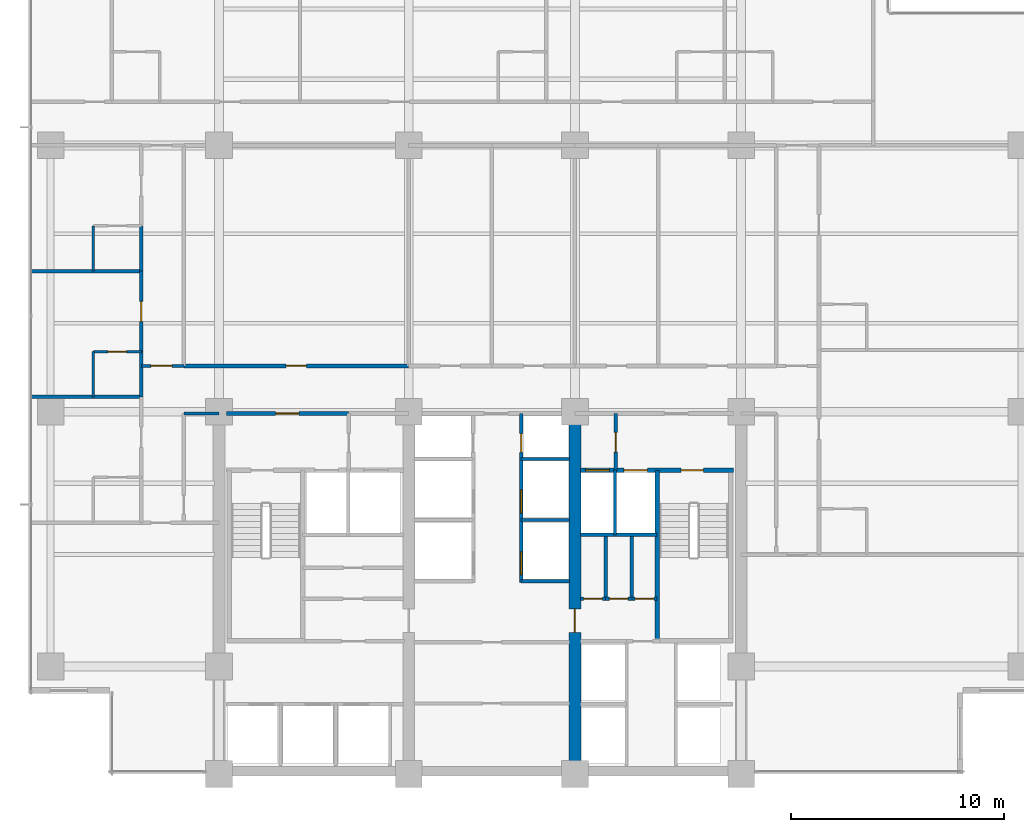
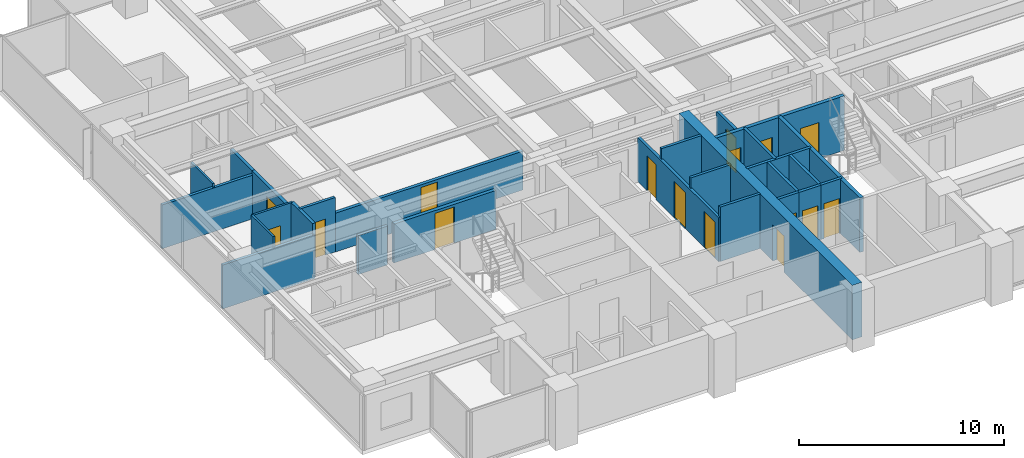
# One storey, part 9 of 17: 27 walls, 16 doors, 16 openings.
"""IFC4 building model written with IfcOpenShell, lengths in metres."""

from ifc_helpers import new_model, si_unit, direction, frame, frame_2d, origin, place, context, subcontext, project, spatial, rectangle, extrude, material, layer, layer_set, type_object, element, fill, save


model = new_model("IFC4")

# Units and contexts
model_context = context("Model", 3, precision=1e-05, world=origin(), true_north=direction((0.0, 1.0)))
body_context = subcontext(model_context, "Body", "Model", "MODEL_VIEW")
ifc_project = project(units=[si_unit("LENGTHUNIT", "METRE"), si_unit("AREAUNIT", "SQUARE_METRE"), si_unit("VOLUMEUNIT", "CUBIC_METRE"), si_unit("PLANEANGLEUNIT", "RADIAN"), si_unit("MASSUNIT", "GRAM", prefix="KILO")], contexts=[model_context])

# Site, building, storey
site_placement = place(None, origin())
site = spatial("IfcSite", under=ifc_project, at=site_placement, CompositionType="ELEMENT")
building_placement = place(site_placement, origin())
building = spatial("IfcBuilding", under=site, at=building_placement, Name="Qalmaran Belvedere Hotel", CompositionType="ELEMENT")
storey_placement = place(building_placement, frame((0.0, 0.0, 91.699951171875)))
storey = spatial("IfcBuildingStorey", under=building, at=storey_placement, Name="L22", CompositionType="ELEMENT", Elevation=91.699951171875)

# Wall, opening, door
ifc_material_1 = material(Name="Concrete C60/75", Category="concrete")
ifc_layer_1 = layer(ifc_material_1, 0.550048828125, Name="Concrete C60/75")
ifc_layer_set_1 = layer_set([ifc_layer_1], Name="Concrete C60/75")
wall_type_1 = type_object("IfcWallType", Name="WL-CORE-550-C60", PredefinedType="SHEAR", material=ifc_layer_set_1)
wall_1_placement = place(storey_placement, frame((37.0, 3.5, 0.0), z_axis=(0.0, 0.0, 1.0), x_axis=(0.0, 1.0, 0.0)))
wall_1 = element("IfcWall", 1, at=wall_1_placement, inside=storey, type_object=wall_type_1, Name="L22 Core East Spine Shear Wall", PredefinedType="SHEAR", context=body_context, shape_type="SweptSolid", body=[
    extrude(rectangle(XDim=16.89990234375, YDim=0.550048828125, at=frame_2d((8.449951171875, 0.0))), origin(), (0.0, 0.0, 1.0), 3.239990234375),
])
opening_1_placement = place(wall_1_placement, frame((6.64990234375, 0.0, 0.0)))
opening_1 = element("IfcOpeningElement", 2, at=opening_1_placement, cuts=wall_1, Name="Opening FD90", PredefinedType="OPENING", context=body_context, shape_type="SweptSolid", body=[
    extrude(rectangle(XDim=1.10009765625, YDim=2.14990234375, at=frame_2d((0.550048828125, 1.074951171875))), frame((0.0, 0.28515625, 0.0), z_axis=(0.0, -1.0, 0.0), x_axis=(1.0, 0.0, 0.0)), (0.0, 0.0, 1.0), 0.570068359375),
])
ifc_material_2 = material(Name="Steel S355JR", Category="steel")
door_type_1 = type_object("IfcDoorType", Name="DR-FD90-1100X2150", OperationType="NOTDEFINED", PredefinedType="DOOR", material=ifc_material_2)
door_1_placement = place(opening_1_placement, origin())
door_1 = element("IfcDoor", 3, at=door_1_placement, inside=storey, type_object=door_type_1, Name="L22 Core East Cross-Lobby Door", OperationType="SINGLE_SWING_LEFT", OverallHeight=2.14990234375, OverallWidth=1.10009765625, PredefinedType="DOOR", context=body_context, shape_type="SweptSolid", body=[
    extrude(rectangle(XDim=1.10009765625, YDim=2.14990234375, at=frame_2d((0.550048828125, 1.074951171875))), frame((0.0, 0.02490234375, 0.0), z_axis=(0.0, -1.0, 0.0), x_axis=(1.0, 0.0, 0.0)), (0.0, 0.0, 1.0), 0.050048828125),
])
fill(opening_1, door_1)

ifc_material_3 = material(Name="Moisture-Resistant Gypsum")
ifc_layer_2 = layer(ifc_material_3, 0.1201171875, Name="Moisture-Resistant Gypsum")
ifc_layer_set_2 = layer_set([ifc_layer_2], Name="Moisture-Resistant Gypsum")
wall_type_2 = type_object("IfcWallType", Name="WL-INT-120-BATH", PredefinedType="PARTITIONING", material=ifc_layer_set_2)
wall_2_placement = place(storey_placement, frame((14.39990234375, 23.320068359375, 0.0), z_axis=(0.0, 0.0, 1.0), x_axis=(1.0, 0.0, 0.0)))
wall_2 = element("IfcWall", 4, at=wall_2_placement, inside=storey, type_object=wall_type_2, Name="L22 Partition WL-L22-WBN01", PredefinedType="PARTITIONING", context=body_context, shape_type="SweptSolid", body=[
    extrude(rectangle(XDim=2.25, YDim=0.1201171875, at=frame_2d((1.125, 0.0))), origin(), (0.0, 0.0, 1.0), 3.239990234375),
])
opening_2_placement = place(wall_2_placement, frame((1.56494140625, 0.0, 0.0), z_axis=(0.0, 0.0, 1.0), x_axis=(-1.0, 0.0, 0.0)))
opening_2 = element("IfcOpeningElement", 5, at=opening_2_placement, cuts=wall_2, Name="Opening D-BATH", PredefinedType="OPENING", context=body_context, shape_type="SweptSolid", body=[
    extrude(rectangle(XDim=0.8798828125, YDim=2.080078125, at=frame_2d((0.43994140625, 1.0400390625))), frame((0.0, 0.070068359375, 0.0), z_axis=(0.0, -1.0, 0.0), x_axis=(1.0, 0.0, 0.0)), (0.0, 0.0, 1.0), 0.14013671875),
])
ifc_material_4 = material(Name="Engineered Oak Veneer")
door_type_2 = type_object("IfcDoorType", Name="DR-INT-BATH-880X2080", OperationType="NOTDEFINED", PredefinedType="DOOR", material=ifc_material_4)
door_2_placement = place(opening_2_placement, origin())
door_2 = element("IfcDoor", 6, at=door_2_placement, inside=storey, type_object=door_type_2, Name="L22 W Ensuite Door 02", OperationType="SINGLE_SWING_LEFT", OverallHeight=2.080078125, OverallWidth=0.8798828125, PredefinedType="DOOR", context=body_context, shape_type="SweptSolid", body=[
    extrude(rectangle(XDim=0.8798828125, YDim=2.080078125, at=frame_2d((0.43994140625, 1.0400390625))), frame((0.0, 0.02490234375, 0.0), z_axis=(0.0, -1.0, 0.0), x_axis=(1.0, 0.0, 0.0)), (0.0, 0.0, 1.0), 0.050048828125),
])
fill(opening_2, door_2)

# Walls
wall_3_placement = place(storey_placement, frame((14.39990234375, 21.199951171875, 0.0), z_axis=(0.0, 0.0, 1.0), x_axis=(0.0, 1.0, 0.0)))
element("IfcWall", 7, at=wall_3_placement, inside=storey, type_object=wall_type_2, Name="L22 Partition WL-L22-WBS01", PredefinedType="PARTITIONING", context=body_context, shape_type="SweptSolid", body=[
    extrude(rectangle(XDim=2.1201171875, YDim=0.1201171875, at=frame_2d((1.06005859375, 0.0))), origin(), (0.0, 0.0, 1.0), 3.239990234375),
])
wall_4_placement = place(storey_placement, frame((14.39990234375, 27.10009765625, 0.0), z_axis=(0.0, 0.0, 1.0), x_axis=(0.0, 1.0, 0.0)))
element("IfcWall", 8, at=wall_4_placement, inside=storey, type_object=wall_type_2, Name="L22 Partition WL-L22-WBS02", PredefinedType="PARTITIONING", context=body_context, shape_type="SweptSolid", body=[
    extrude(rectangle(XDim=2.119873046875, YDim=0.1201171875, at=frame_2d((1.06005859375, 0.0))), origin(), (0.0, 0.0, 1.0), 2.818115234375),
])
ifc_material_5 = material(Name="Gypsum Stud Partition")
ifc_layer_3 = layer(ifc_material_5, 0.14990234375, Name="Gypsum Stud Partition")
ifc_layer_set_3 = layer_set([ifc_layer_3], Name="Gypsum Stud Partition")
wall_type_3 = type_object("IfcWallType", Name="WL-INT-150-EI120", PredefinedType="PARTITIONING", material=ifc_layer_set_3)
wall_5_placement = place(storey_placement, frame((38.8798828125, 14.719970703125, 0.0), z_axis=(0.0, 0.0, 1.0), x_axis=(0.0, 1.0, 0.0)))
element("IfcWall", 9, at=wall_5_placement, inside=storey, type_object=wall_type_3, Name="L22 Partition WL-FF2M-L22", PredefinedType="PARTITIONING", context=body_context, shape_type="SweptSolid", body=[
    extrude(rectangle(XDim=3.0400390625, YDim=0.14990234375, at=frame_2d((1.52001953125, 0.0))), origin(), (0.0, 0.0, 1.0), 3.239990234375),
])
for number, where, z_axis, x_axis, name in (
    (10, (34.47998046875, 12.550048828125, 0.0), (0.0, 0.0, 1.0), (1.0, 0.0, 0.0), "L22 Partition WL-PME-L22-125"),
    (11, (34.47998046875, 15.419921875, 0.0), (0.0, 0.0, 1.0), (1.0, 0.0, 0.0), "L22 Partition WL-PME-L22-154"),
    (12, (34.47998046875, 18.280029296875, 0.0), (0.0, 0.0, 1.0), (1.0, 0.0, 0.0), "L22 Partition WL-PME-L22-182"),
):
    element("IfcWall", number, at=place(storey_placement, frame(where, z_axis=z_axis, x_axis=x_axis)), inside=storey, type_object=wall_type_3, Name=name, PredefinedType="PARTITIONING", context=body_context, shape_type="SweptSolid", body=[
        extrude(rectangle(XDim=2.27001953125, YDim=0.14990234375, at=frame_2d((1.135009765625, 0.0))), origin(), (0.0, 0.0, 1.0), 3.239990234375),
    ])
ifc_layer_4 = layer(ifc_material_5, 0.14990234375, Name="Gypsum Stud Partition")
ifc_layer_set_4 = layer_set([ifc_layer_4], Name="Gypsum Stud Partition")
wall_type_4 = type_object("IfcWallType", Name="WL-INT-150-EI60", PredefinedType="PARTITIONING", material=ifc_layer_set_4)
for number, where, z_axis, x_axis, name in (
    (13, (38.44140625, 11.719970703125, 0.0), (0.0, 0.0, 1.0), (0.0, 1.0, 0.0), "L22 Partition WL-L22-KEV1"),
    (14, (39.668701171875, 11.719970703125, 0.0), (0.0, 0.0, 1.0), (0.0, 1.0, 0.0), "L22 Partition WL-L22-KEV2"),
):
    element("IfcWall", number, at=place(storey_placement, frame(where, z_axis=z_axis, x_axis=x_axis)), inside=storey, type_object=wall_type_4, Name=name, PredefinedType="PARTITIONING", context=body_context, shape_type="SweptSolid", body=[
        extrude(rectangle(XDim=2.929931640625, YDim=0.14990234375, at=frame_2d((1.46484375, 0.0))), origin(), (0.0, 0.0, 1.0), 3.239990234375),
    ])

# Wall, opening, door
wall_6_placement = place(storey_placement, frame((16.64990234375, 22.64990234375, 0.0), z_axis=(0.0, 0.0, 1.0), x_axis=(1.0, 0.0, 0.0)))
wall_6 = element("IfcWall", 15, at=wall_6_placement, inside=storey, type_object=wall_type_4, Name="L22 Partition WL-L22-XCW1", PredefinedType="PARTITIONING", context=body_context, shape_type="SweptSolid", body=[
    extrude(rectangle(XDim=2.0, YDim=0.14990234375, at=frame_2d((1.0, 0.0))), origin(), (0.0, 0.0, 1.0), 3.239990234375),
])
opening_3_placement = place(wall_6_placement, frame((0.449951171875, 0.0, 0.0)))
opening_3 = element("IfcOpeningElement", 16, at=opening_3_placement, cuts=wall_6, Name="Opening FD90B", PredefinedType="OPENING", context=body_context, shape_type="SweptSolid", body=[
    extrude(rectangle(XDim=1.0, YDim=2.14990234375, at=frame_2d((0.5, 1.074951171875))), frame((0.0, 0.0849609375, 0.0), z_axis=(0.0, -1.0, 0.0), x_axis=(1.0, 0.0, 0.0)), (0.0, 0.0, 1.0), 0.169921875),
])
door_type_3 = type_object("IfcDoorType", Name="DR-FD90B-1000X2150", OperationType="NOTDEFINED", PredefinedType="DOOR", material=ifc_material_2)
door_3_placement = place(opening_3_placement, origin())
door_3 = element("IfcDoor", 17, at=door_3_placement, inside=storey, type_object=door_type_3, Name="L22 West Corridor Smoke Door S", OperationType="SINGLE_SWING_RIGHT", OverallHeight=2.14990234375, OverallWidth=1.0, PredefinedType="DOOR", context=body_context, shape_type="SweptSolid", body=[
    extrude(rectangle(XDim=1.0, YDim=2.14990234375, at=frame_2d((0.5, 1.074951171875))), frame((0.0, 0.02490234375, 0.0), z_axis=(0.0, -1.0, 0.0), x_axis=(1.0, 0.0, 0.0)), (0.0, 0.0, 1.0), 0.050048828125),
])
fill(opening_3, door_3)

ifc_layer_5 = layer(ifc_material_5, 0.159912109375, Name="Gypsum Stud Partition")
ifc_layer_set_5 = layer_set([ifc_layer_5], Name="Gypsum Stud Partition")
wall_type_5 = type_object("IfcWallType", Name="WL-INT-160-EI120", PredefinedType="PARTITIONING", material=ifc_layer_set_5)
wall_7_placement = place(storey_placement, frame((38.919921875, 17.760009765625, 0.0), z_axis=(0.0, 0.0, 1.0), x_axis=(0.0, 1.0, 0.0)))
wall_7 = element("IfcWall", 18, at=wall_7_placement, inside=storey, type_object=wall_type_5, Name="L22 Partition WL-FFSV2-L22", PredefinedType="PARTITIONING", context=body_context, shape_type="SweptSolid", body=[
    extrude(rectangle(XDim=2.659912109375, YDim=0.159912109375, at=frame_2d((1.330078125, 0.0))), origin(), (0.0, 0.0, 1.0), 2.614013671875),
])
opening_4_placement = place(wall_7_placement, frame((1.77001953125, 0.0, 0.0), z_axis=(0.0, 0.0, 1.0), x_axis=(-1.0, 0.0, 0.0)))
opening_4 = element("IfcOpeningElement", 19, at=opening_4_placement, cuts=wall_7, Name="Opening FD60S1", PredefinedType="OPENING", context=body_context, shape_type="SweptSolid", body=[
    extrude(rectangle(XDim=0.919921875, YDim=2.080078125, at=frame_2d((0.4599609375, 1.0400390625))), frame((0.0, 0.08984375, 0.0), z_axis=(0.0, -1.0, 0.0), x_axis=(1.0, 0.0, 0.0)), (0.0, 0.0, 1.0), 0.179931640625),
])
door_type_4 = type_object("IfcDoorType", Name="DR-FD60S-920X2080", OperationType="NOTDEFINED", PredefinedType="DOOR", material=ifc_material_4)
door_4_placement = place(opening_4_placement, origin())
door_4 = element("IfcDoor", 20, at=door_4_placement, inside=storey, type_object=door_type_4, Name="L22 Service Lobby East Door", OperationType="SINGLE_SWING_LEFT", OverallHeight=2.080078125, OverallWidth=0.919921875, PredefinedType="DOOR", context=body_context, shape_type="SweptSolid", body=[
    extrude(rectangle(XDim=0.919921875, YDim=2.080078125, at=frame_2d((0.4599609375, 1.0400390625))), frame((0.0, 0.02490234375, 0.0), z_axis=(0.0, -1.0, 0.0), x_axis=(1.0, 0.0, 0.0)), (0.0, 0.0, 1.0), 0.050048828125),
])
fill(opening_4, door_4)

# Wall
wall_8_placement = place(storey_placement, frame((37.25, 14.719970703125, 0.0), z_axis=(0.0, 0.0, 1.0), x_axis=(1.0, 0.0, 0.0)))
element("IfcWall", 21, at=wall_8_placement, inside=storey, type_object=wall_type_5, Name="L22 Partition WL-FF2S-L22", PredefinedType="PARTITIONING", context=body_context, shape_type="SweptSolid", body=[
    extrude(rectangle(XDim=3.610107421875, YDim=0.159912109375, at=frame_2d((1.80517578125, 0.0))), origin(), (0.0, 0.0, 1.0), 3.239990234375),
])

# Wall, openings, doors
wall_9_placement = place(storey_placement, frame((34.47998046875, 12.5, 0.0), z_axis=(0.0, 0.0, 1.0), x_axis=(0.0, 1.0, 0.0)))
wall_9 = element("IfcWall", 22, at=wall_9_placement, inside=storey, type_object=wall_type_5, Name="L22 Partition WL-CLBEN-L22", PredefinedType="PARTITIONING", context=body_context, shape_type="SweptSolid", body=[
    extrude(rectangle(XDim=7.919921875, YDim=0.159912109375, at=frame_2d((3.9599609375, 0.0))), origin(), (0.0, 0.0, 1.0), 2.614013671875),
])
opening_5_placement = place(wall_9_placement, frame((0.35009765625, 0.0, 0.0)))
opening_5 = element("IfcOpeningElement", 23, at=opening_5_placement, cuts=wall_9, Name="Opening LD-P1", PredefinedType="OPENING", context=body_context, shape_type="SweptSolid", body=[
    extrude(rectangle(XDim=1.080078125, YDim=2.159912109375, at=frame_2d((0.5400390625, 1.080078125))), frame((0.0, 0.08984375, 0.0), z_axis=(0.0, -1.0, 0.0), x_axis=(1.0, 0.0, 0.0)), (0.0, 0.0, 1.0), 0.179931640625),
])
opening_6_placement = place(wall_9_placement, frame((3.25, 0.0, 0.0)))
opening_6 = element("IfcOpeningElement", 24, at=opening_6_placement, cuts=wall_9, Name="Opening LD-P1", PredefinedType="OPENING", context=body_context, shape_type="SweptSolid", body=[
    extrude(rectangle(XDim=1.080078125, YDim=2.159912109375, at=frame_2d((0.5400390625, 1.080078125))), frame((0.0, 0.08984375, 0.0), z_axis=(0.0, -1.0, 0.0), x_axis=(1.0, 0.0, 0.0)), (0.0, 0.0, 1.0), 0.179931640625),
])
opening_7_placement = place(wall_9_placement, frame((6.97998046875, 0.0, 0.0), z_axis=(0.0, 0.0, 1.0), x_axis=(-1.0, 0.0, 0.0)))
opening_7 = element("IfcOpeningElement", 25, at=opening_7_placement, cuts=wall_9, Name="Opening FD60B", PredefinedType="OPENING", context=body_context, shape_type="SweptSolid", body=[
    extrude(rectangle(XDim=0.8798828125, YDim=2.080078125, at=frame_2d((0.43994140625, 1.0400390625))), frame((0.0, 0.08984375, 0.0), z_axis=(0.0, -1.0, 0.0), x_axis=(1.0, 0.0, 0.0)), (0.0, 0.0, 1.0), 0.179931640625),
])
door_type_5 = type_object("IfcDoorType", Name="DR-FD60B-880X2080", OperationType="NOTDEFINED", PredefinedType="DOOR", material=ifc_material_2)
door_5_placement = place(opening_7_placement, origin())
door_5 = element("IfcDoor", 26, at=door_5_placement, inside=storey, type_object=door_type_5, Name="L22 East Riser Access Door", OperationType="SINGLE_SWING_LEFT", OverallHeight=2.080078125, OverallWidth=0.8798828125, PredefinedType="DOOR", context=body_context, shape_type="SweptSolid", body=[
    extrude(rectangle(XDim=0.8798828125, YDim=2.080078125, at=frame_2d((0.43994140625, 1.0400390625))), frame((0.0, 0.02490234375, 0.0), z_axis=(0.0, -1.0, 0.0), x_axis=(1.0, 0.0, 0.0)), (0.0, 0.0, 1.0), 0.050048828125),
])
fill(opening_7, door_5)
ifc_material_6 = material(Name="Stainless Steel 1.4401", Category="steel")
door_type_6 = type_object("IfcDoorType", Name="DR-LIFT-P1-1080X2160", OperationType="DOUBLE_DOOR_SLIDING", PredefinedType="DOOR", material=ifc_material_6)
door_6_placement = place(opening_5_placement, origin())
door_6 = element("IfcDoor", 27, at=door_6_placement, inside=storey, type_object=door_type_6, Name="L22 PM3 Lift Landing Door", OperationType="DOUBLE_DOOR_SLIDING", OverallHeight=2.159912109375, OverallWidth=1.080078125, PredefinedType="DOOR", context=body_context, shape_type="SweptSolid", body=[
    extrude(rectangle(XDim=1.080078125, YDim=2.159912109375, at=frame_2d((0.5400390625, 1.080078125))), frame((0.0, 0.02490234375, 0.0), z_axis=(0.0, -1.0, 0.0), x_axis=(1.0, 0.0, 0.0)), (0.0, 0.0, 1.0), 0.050048828125),
])
fill(opening_5, door_6)
door_7_placement = place(opening_6_placement, origin())
door_7 = element("IfcDoor", 28, at=door_7_placement, inside=storey, type_object=door_type_6, Name="L22 PM4 Lift Landing Door", OperationType="DOUBLE_DOOR_SLIDING", OverallHeight=2.159912109375, OverallWidth=1.080078125, PredefinedType="DOOR", context=body_context, shape_type="SweptSolid", body=[
    extrude(rectangle(XDim=1.080078125, YDim=2.159912109375, at=frame_2d((0.5400390625, 1.080078125))), frame((0.0, 0.02490234375, 0.0), z_axis=(0.0, -1.0, 0.0), x_axis=(1.0, 0.0, 0.0)), (0.0, 0.0, 1.0), 0.050048828125),
])
fill(opening_6, door_7)

# Wall, opening, door
ifc_layer_6 = layer(ifc_material_5, 0.159912109375, Name="Gypsum Stud Partition")
ifc_layer_set_6 = layer_set([ifc_layer_6], Name="Gypsum Stud Partition")
wall_type_6 = type_object("IfcWallType", Name="WL-INT-160-EI60", PredefinedType="PARTITIONING", material=ifc_layer_set_6)
wall_10_placement = place(storey_placement, frame((37.25, 11.719970703125, 0.0), z_axis=(0.0, 0.0, 1.0), x_axis=(1.0, 0.0, 0.0)))
wall_10 = element("IfcWall", 29, at=wall_10_placement, inside=storey, type_object=wall_type_6, Name="L22 Partition WL-L22-KEE1", PredefinedType="PARTITIONING", context=body_context, shape_type="SweptSolid", body=[
    extrude(rectangle(XDim=1.19140625, YDim=0.159912109375, at=frame_2d((0.595703125, 0.0))), origin(), (0.0, 0.0, 1.0), 3.239990234375),
])
opening_8_placement = place(wall_10_placement, frame((0.155517578125, 0.0, 0.0)))
opening_8 = element("IfcOpeningElement", 30, at=opening_8_placement, cuts=wall_10, Name="Opening FD60B", PredefinedType="OPENING", context=body_context, shape_type="SweptSolid", body=[
    extrude(rectangle(XDim=0.8798828125, YDim=2.080078125, at=frame_2d((0.43994140625, 1.0400390625))), frame((0.0, 0.08984375, 0.0), z_axis=(0.0, -1.0, 0.0), x_axis=(1.0, 0.0, 0.0)), (0.0, 0.0, 1.0), 0.179931640625),
])
door_8_placement = place(opening_8_placement, origin())
door_8 = element("IfcDoor", 31, at=door_8_placement, inside=storey, type_object=door_type_5, Name="L22 Hotel Linen Closet Door", OperationType="SINGLE_SWING_LEFT", OverallHeight=2.080078125, OverallWidth=0.8798828125, PredefinedType="DOOR", context=body_context, shape_type="SweptSolid", body=[
    extrude(rectangle(XDim=0.8798828125, YDim=2.080078125, at=frame_2d((0.43994140625, 1.0400390625))), frame((0.0, 0.02490234375, 0.0), z_axis=(0.0, -1.0, 0.0), x_axis=(1.0, 0.0, 0.0)), (0.0, 0.0, 1.0), 0.050048828125),
])
fill(opening_8, door_8)

wall_11_placement = place(storey_placement, frame((38.44140625, 11.719970703125, 0.0), z_axis=(0.0, 0.0, 1.0), x_axis=(1.0, 0.0, 0.0)))
wall_11 = element("IfcWall", 32, at=wall_11_placement, inside=storey, type_object=wall_type_6, Name="L22 Partition WL-L22-KEE2", PredefinedType="PARTITIONING", context=body_context, shape_type="SweptSolid", body=[
    extrude(rectangle(XDim=1.227294921875, YDim=0.159912109375, at=frame_2d((0.61376953125, 0.0))), origin(), (0.0, 0.0, 1.0), 3.239990234375),
])
opening_9_placement = place(wall_11_placement, frame((0.173583984375, 0.0, 0.0)))
opening_9 = element("IfcOpeningElement", 33, at=opening_9_placement, cuts=wall_11, Name="Opening FD60B", PredefinedType="OPENING", context=body_context, shape_type="SweptSolid", body=[
    extrude(rectangle(XDim=0.8798828125, YDim=2.080078125, at=frame_2d((0.43994140625, 1.0400390625))), frame((0.0, 0.08984375, 0.0), z_axis=(0.0, -1.0, 0.0), x_axis=(1.0, 0.0, 0.0)), (0.0, 0.0, 1.0), 0.179931640625),
])
door_9_placement = place(opening_9_placement, origin())
door_9 = element("IfcDoor", 34, at=door_9_placement, inside=storey, type_object=door_type_5, Name="L22 Guest Ice and Beverage Pantry Door", OperationType="SINGLE_SWING_RIGHT", OverallHeight=2.080078125, OverallWidth=0.8798828125, PredefinedType="DOOR", context=body_context, shape_type="SweptSolid", body=[
    extrude(rectangle(XDim=0.8798828125, YDim=2.080078125, at=frame_2d((0.43994140625, 1.0400390625))), frame((0.0, 0.02490234375, 0.0), z_axis=(0.0, -1.0, 0.0), x_axis=(1.0, 0.0, 0.0)), (0.0, 0.0, 1.0), 0.050048828125),
])
fill(opening_9, door_9)

wall_12_placement = place(storey_placement, frame((39.668701171875, 11.719970703125, 0.0), z_axis=(0.0, 0.0, 1.0), x_axis=(1.0, 0.0, 0.0)))
wall_12 = element("IfcWall", 35, at=wall_12_placement, inside=storey, type_object=wall_type_6, Name="L22 Partition WL-L22-KEE3", PredefinedType="PARTITIONING", context=body_context, shape_type="SweptSolid", body=[
    extrude(rectangle(XDim=1.19140625, YDim=0.159912109375, at=frame_2d((0.595703125, 0.0))), origin(), (0.0, 0.0, 1.0), 3.239990234375),
])
opening_10_placement = place(wall_12_placement, frame((0.155517578125, 0.0, 0.0)))
opening_10 = element("IfcOpeningElement", 36, at=opening_10_placement, cuts=wall_12, Name="Opening FD60B", PredefinedType="OPENING", context=body_context, shape_type="SweptSolid", body=[
    extrude(rectangle(XDim=0.8798828125, YDim=2.080078125, at=frame_2d((0.43994140625, 1.0400390625))), frame((0.0, 0.08984375, 0.0), z_axis=(0.0, -1.0, 0.0), x_axis=(1.0, 0.0, 0.0)), (0.0, 0.0, 1.0), 0.179931640625),
])
door_10_placement = place(opening_10_placement, origin())
door_10 = element("IfcDoor", 37, at=door_10_placement, inside=storey, type_object=door_type_5, Name="L22 Cleaner Equipment Store Door", OperationType="SINGLE_SWING_LEFT", OverallHeight=2.080078125, OverallWidth=0.8798828125, PredefinedType="DOOR", context=body_context, shape_type="SweptSolid", body=[
    extrude(rectangle(XDim=0.8798828125, YDim=2.080078125, at=frame_2d((0.43994140625, 1.0400390625))), frame((0.0, 0.02490234375, 0.0), z_axis=(0.0, -1.0, 0.0), x_axis=(1.0, 0.0, 0.0)), (0.0, 0.0, 1.0), 0.050048828125),
])
fill(opening_10, door_10)

# Walls
wall_13_placement = place(storey_placement, frame((18.64990234375, 20.419921875, 0.0), z_axis=(0.0, 0.0, 1.0), x_axis=(1.0, 0.0, 0.0)))
element("IfcWall", 38, at=wall_13_placement, inside=storey, type_object=wall_type_6, Name="L22 Partition WL-L22-WCLN", PredefinedType="PARTITIONING", context=body_context, shape_type="SweptSolid", body=[
    extrude(rectangle(XDim=1.650146484375, YDim=0.159912109375, at=frame_2d((0.8251953125, 0.0))), origin(), (0.0, 0.0, 1.0), 2.31298828125),
])
for number, where, z_axis, x_axis, name in (
    (39, (11.469970703125, 21.199951171875, 0.0), (0.0, 0.0, 1.0), (1.0, 0.0, 0.0), "L22 Partition WL-L22-WU00"),
    (40, (11.469970703125, 27.10009765625, 0.0), (0.0, 0.0, 1.0), (1.0, 0.0, 0.0), "L22 Partition WL-L22-WU01"),
):
    element("IfcWall", number, at=place(storey_placement, frame(where, z_axis=z_axis, x_axis=x_axis)), inside=storey, type_object=wall_type_6, Name=name, PredefinedType="PARTITIONING", context=body_context, shape_type="SweptSolid", body=[
        extrude(rectangle(XDim=5.179931640625, YDim=0.159912109375, at=frame_2d((2.58984375, 0.0))), origin(), (0.0, 0.0, 1.0), 2.60302734375),
    ])

# Wall, opening, door
ifc_layer_7 = layer(ifc_material_5, 0.179931640625, Name="Gypsum Stud Partition")
ifc_layer_set_7 = layer_set([ifc_layer_7], Name="Gypsum Stud Partition")
wall_type_7 = type_object("IfcWallType", Name="WL-INT-180-EI60", PredefinedType="PARTITIONING", material=ifc_layer_set_7)
wall_14_placement = place(storey_placement, frame((18.64990234375, 22.64990234375, 0.0), z_axis=(0.0, 0.0, 1.0), x_axis=(1.0, 0.0, 0.0)))
wall_14 = element("IfcWall", 41, at=wall_14_placement, inside=storey, type_object=wall_type_7, Name="L22 Partition WL-L22-MIDD1", PredefinedType="PARTITIONING", context=body_context, shape_type="SweptSolid", body=[
    extrude(rectangle(XDim=10.550048828125, YDim=0.179931640625, at=frame_2d((5.27490234375, 0.0))), origin(), (0.0, 0.0, 1.0), 2.31298828125),
])
opening_11_placement = place(wall_14_placement, frame((4.800048828125, 0.0, 0.0)))
opening_11 = element("IfcOpeningElement", 42, at=opening_11_placement, cuts=wall_14, Name="Opening FD60", PredefinedType="OPENING", context=body_context, shape_type="SweptSolid", body=[
    extrude(rectangle(XDim=0.949951171875, YDim=2.14990234375, at=frame_2d((0.47509765625, 1.074951171875))), frame((0.0, 0.10009765625, 0.0), z_axis=(0.0, -1.0, 0.0), x_axis=(1.0, 0.0, 0.0)), (0.0, 0.0, 1.0), 0.199951171875),
])
door_type_7 = type_object("IfcDoorType", Name="DR-FD60-950X2150", OperationType="NOTDEFINED", PredefinedType="DOOR", material=ifc_material_4)
door_11_placement = place(opening_11_placement, origin())
door_11 = element("IfcDoor", 43, at=door_11_placement, inside=storey, type_object=door_type_7, Name="L22 Housekeeping and Linen Room Door", OperationType="SINGLE_SWING_RIGHT", OverallHeight=2.14990234375, OverallWidth=0.949951171875, PredefinedType="DOOR", context=body_context, shape_type="SweptSolid", body=[
    extrude(rectangle(XDim=0.949951171875, YDim=2.14990234375, at=frame_2d((0.47509765625, 1.074951171875))), frame((0.0, 0.02490234375, 0.0), z_axis=(0.0, -1.0, 0.0), x_axis=(1.0, 0.0, 0.0)), (0.0, 0.0, 1.0), 0.050048828125),
])
fill(opening_11, door_11)

# Wall
wall_15_placement = place(storey_placement, frame((16.64990234375, 21.199951171875, 0.0), z_axis=(0.0, 0.0, 1.0), x_axis=(0.0, 1.0, 0.0)))
element("IfcWall", 44, at=wall_15_placement, inside=storey, type_object=wall_type_7, Name="L22 Partition WL-L22-WBC01", PredefinedType="PARTITIONING", context=body_context, shape_type="SweptSolid", body=[
    extrude(rectangle(XDim=2.1201171875, YDim=0.179931640625, at=frame_2d((1.06005859375, 0.0))), origin(), (0.0, 0.0, 1.0), 3.239990234375),
])

# Wall, opening, door
wall_16_placement = place(storey_placement, frame((16.64990234375, 23.320068359375, 0.0), z_axis=(0.0, 0.0, 1.0), x_axis=(0.0, 1.0, 0.0)))
wall_16 = element("IfcWall", 45, at=wall_16_placement, inside=storey, type_object=wall_type_7, Name="L22 Partition WL-L22-WEC01", PredefinedType="PARTITIONING", context=body_context, shape_type="SweptSolid", body=[
    extrude(rectangle(XDim=3.780029296875, YDim=0.179931640625, at=frame_2d((1.89013671875, 0.0))), origin(), (0.0, 0.0, 1.0), 2.818115234375),
])
opening_12_placement = place(wall_16_placement, frame((1.4150390625, 0.0, 0.0)))
opening_12 = element("IfcOpeningElement", 46, at=opening_12_placement, cuts=wall_16, Name="Opening FD60", PredefinedType="OPENING", context=body_context, shape_type="SweptSolid", body=[
    extrude(rectangle(XDim=0.949951171875, YDim=2.14990234375, at=frame_2d((0.47509765625, 1.074951171875))), frame((0.0, 0.10009765625, 0.0), z_axis=(0.0, -1.0, 0.0), x_axis=(1.0, 0.0, 0.0)), (0.0, 0.0, 1.0), 0.199951171875),
])
door_12_placement = place(opening_12_placement, origin())
door_12 = element("IfcDoor", 47, at=door_12_placement, inside=storey, type_object=door_type_7, Name="L22 W Wing Door 02", OperationType="SINGLE_SWING_RIGHT", OverallHeight=2.14990234375, OverallWidth=0.949951171875, PredefinedType="DOOR", context=body_context, shape_type="SweptSolid", body=[
    extrude(rectangle(XDim=0.949951171875, YDim=2.14990234375, at=frame_2d((0.47509765625, 1.074951171875))), frame((0.0, 0.02490234375, 0.0), z_axis=(0.0, -1.0, 0.0), x_axis=(1.0, 0.0, 0.0)), (0.0, 0.0, 1.0), 0.050048828125),
])
fill(opening_12, door_12)

# Wall
wall_17_placement = place(storey_placement, frame((16.64990234375, 27.10009765625, 0.0), z_axis=(0.0, 0.0, 1.0), x_axis=(0.0, 1.0, 0.0)))
element("IfcWall", 48, at=wall_17_placement, inside=storey, type_object=wall_type_7, Name="L22 Partition WL-L22-WBC02", PredefinedType="PARTITIONING", context=body_context, shape_type="SweptSolid", body=[
    extrude(rectangle(XDim=2.119873046875, YDim=0.179931640625, at=frame_2d((1.06005859375, 0.0))), origin(), (0.0, 0.0, 1.0), 2.818115234375),
])

# Wall, opening, door
ifc_material_7 = material(Name="Concrete C30/37 Blockwork", Category="masonry")
ifc_layer_8 = layer(ifc_material_7, 0.199951171875, Name="Concrete C30/37 Blockwork")
ifc_layer_set_8 = layer_set([ifc_layer_8], Name="Concrete C30/37 Blockwork")
wall_type_8 = type_object("IfcWallType", Name="WL-INT-200-EI120", PredefinedType="PARTITIONING", material=ifc_layer_set_8)
wall_18_placement = place(storey_placement, frame((20.64990234375, 20.419921875, 0.0), z_axis=(0.0, 0.0, 1.0), x_axis=(1.0, 0.0, 0.0)))
wall_18 = element("IfcWall", 49, at=wall_18_placement, inside=storey, type_object=wall_type_8, Name="L22 Partition WL-CN1A-L22", PredefinedType="PARTITIONING", context=body_context, shape_type="SweptSolid", body=[
    extrude(rectangle(XDim=5.72998046875, YDim=0.199951171875, at=frame_2d((2.864990234375, 0.0))), origin(), (0.0, 0.0, 1.0), 2.31298828125),
])
opening_13_placement = place(wall_18_placement, frame((2.300048828125, 0.0, 0.0)))
opening_13 = element("IfcOpeningElement", 50, at=opening_13_placement, cuts=wall_18, Name="Opening FD90", PredefinedType="OPENING", context=body_context, shape_type="SweptSolid", body=[
    extrude(rectangle(XDim=1.10009765625, YDim=2.14990234375, at=frame_2d((0.550048828125, 1.074951171875))), frame((0.0, 0.10986328125, 0.0), z_axis=(0.0, -1.0, 0.0), x_axis=(1.0, 0.0, 0.0)), (0.0, 0.0, 1.0), 0.219970703125),
])
door_13_placement = place(opening_13_placement, origin())
door_13 = element("IfcDoor", 51, at=door_13_placement, inside=storey, type_object=door_type_1, Name="L22 FF1 Lobby Corridor Door", OperationType="SINGLE_SWING_RIGHT", OverallHeight=2.14990234375, OverallWidth=1.10009765625, PredefinedType="DOOR", context=body_context, shape_type="SweptSolid", body=[
    extrude(rectangle(XDim=1.10009765625, YDim=2.14990234375, at=frame_2d((0.550048828125, 1.074951171875))), frame((0.0, 0.02490234375, 0.0), z_axis=(0.0, -1.0, 0.0), x_axis=(1.0, 0.0, 0.0)), (0.0, 0.0, 1.0), 0.050048828125),
])
fill(opening_13, door_13)

# Wall
ifc_material_8 = material(Name="Concrete C50/60", Category="concrete")
ifc_layer_9 = layer(ifc_material_8, 0.2099609375, Name="Concrete C50/60")
ifc_layer_set_9 = layer_set([ifc_layer_9], Name="Concrete C50/60")
wall_type_9 = type_object("IfcWallType", Name="WL-STAIR-210-C50", PredefinedType="SHEAR", material=ifc_layer_set_9)
wall_19_placement = place(storey_placement, frame((40.85498046875, 9.7451171875, 0.0), z_axis=(0.0, 0.0, 1.0), x_axis=(0.0, 1.0, 0.0)))
element("IfcWall", 52, at=wall_19_placement, inside=storey, type_object=wall_type_9, Name="L22 Stair ST-2 West Bearing Wall", PredefinedType="SHEAR", context=body_context, shape_type="SweptSolid", body=[
    extrude(rectangle(XDim=8.009765625, YDim=0.2099609375, at=frame_2d((4.0048828125, 0.0))), origin(), (0.0, 0.0, 1.0), 3.239990234375),
])

# Wall, openings, doors
wall_20_placement = place(storey_placement, frame((37.25, 17.7548828125, 0.0), z_axis=(0.0, 0.0, 1.0), x_axis=(1.0, 0.0, 0.0)))
wall_20 = element("IfcWall", 53, at=wall_20_placement, inside=storey, type_object=wall_type_9, Name="L22 East Lobby and Stair ST-2 North Bearing Wall", PredefinedType="SHEAR", context=body_context, shape_type="SweptSolid", body=[
    extrude(rectangle(XDim=7.199951171875, YDim=0.2099609375, at=frame_2d((3.60009765625, 0.0))), origin(), (0.0, 0.0, 1.0), 3.239990234375),
])
opening_14_placement = place(wall_20_placement, frame((0.25, 0.0, 0.0)))
opening_14 = element("IfcOpeningElement", 54, at=opening_14_placement, cuts=wall_20, Name="Opening LD-SV", PredefinedType="OPENING", context=body_context, shape_type="SweptSolid", body=[
    extrude(rectangle(XDim=1.1201171875, YDim=2.199951171875, at=frame_2d((0.56005859375, 1.10009765625))), frame((0.0, 0.114990234375, 0.0), z_axis=(0.0, -1.0, 0.0), x_axis=(1.0, 0.0, 0.0)), (0.0, 0.0, 1.0), 0.22998046875),
])
opening_15_placement = place(wall_20_placement, frame((2.050048828125, 0.0, 0.0)))
opening_15 = element("IfcOpeningElement", 55, at=opening_15_placement, cuts=wall_20, Name="Opening LD-FF", PredefinedType="OPENING", context=body_context, shape_type="SweptSolid", body=[
    extrude(rectangle(XDim=1.10009765625, YDim=2.179931640625, at=frame_2d((0.550048828125, 1.08984375))), frame((0.0, 0.114990234375, 0.0), z_axis=(0.0, -1.0, 0.0), x_axis=(1.0, 0.0, 0.0)), (0.0, 0.0, 1.0), 0.22998046875),
])
opening_16_placement = place(wall_20_placement, frame((5.780029296875, 0.0, 0.0), z_axis=(0.0, 0.0, 1.0), x_axis=(-1.0, 0.0, 0.0)))
opening_16 = element("IfcOpeningElement", 56, at=opening_16_placement, cuts=wall_20, Name="Opening FD90S2", PredefinedType="OPENING", context=body_context, shape_type="SweptSolid", body=[
    extrude(rectangle(XDim=1.050048828125, YDim=2.14990234375, at=frame_2d((0.52490234375, 1.074951171875))), frame((0.0, 0.114990234375, 0.0), z_axis=(0.0, -1.0, 0.0), x_axis=(1.0, 0.0, 0.0)), (0.0, 0.0, 1.0), 0.22998046875),
])
door_type_8 = type_object("IfcDoorType", Name="DR-FD90S-1050X2150", OperationType="NOTDEFINED", PredefinedType="DOOR", material=ifc_material_2)
door_14_placement = place(opening_16_placement, origin())
door_14 = element("IfcDoor", 57, at=door_14_placement, inside=storey, type_object=door_type_8, Name="L22 Stair ST-2 Door", OperationType="SINGLE_SWING_LEFT", OverallHeight=2.14990234375, OverallWidth=1.050048828125, PredefinedType="DOOR", context=body_context, shape_type="SweptSolid", body=[
    extrude(rectangle(XDim=1.050048828125, YDim=2.14990234375, at=frame_2d((0.52490234375, 1.074951171875))), frame((0.0, 0.02490234375, 0.0), z_axis=(0.0, -1.0, 0.0), x_axis=(1.0, 0.0, 0.0)), (0.0, 0.0, 1.0), 0.050048828125),
])
fill(opening_16, door_14)
door_type_9 = type_object("IfcDoorType", Name="DR-LIFT-FF-1100X2180", OperationType="DOUBLE_DOOR_SLIDING", PredefinedType="DOOR", material=ifc_material_6)
door_15_placement = place(opening_15_placement, origin())
door_15 = element("IfcDoor", 58, at=door_15_placement, inside=storey, type_object=door_type_9, Name="L22 FF2 Lift Landing Door", OperationType="DOUBLE_DOOR_SLIDING", OverallHeight=2.179931640625, OverallWidth=1.10009765625, PredefinedType="DOOR", context=body_context, shape_type="SweptSolid", body=[
    extrude(rectangle(XDim=1.10009765625, YDim=2.179931640625, at=frame_2d((0.550048828125, 1.08984375))), frame((0.0, 0.02490234375, 0.0), z_axis=(0.0, -1.0, 0.0), x_axis=(1.0, 0.0, 0.0)), (0.0, 0.0, 1.0), 0.050048828125),
])
fill(opening_15, door_15)
door_type_10 = type_object("IfcDoorType", Name="DR-LIFT-SV-1120X2200", OperationType="DOUBLE_DOOR_SLIDING", PredefinedType="DOOR", material=ifc_material_6)
door_16_placement = place(opening_14_placement, origin())
door_16 = element("IfcDoor", 59, at=door_16_placement, inside=storey, type_object=door_type_10, Name="L22 SV2 Lift Landing Door", OperationType="DOUBLE_DOOR_SLIDING", OverallHeight=2.199951171875, OverallWidth=1.1201171875, PredefinedType="DOOR", context=body_context, shape_type="SweptSolid", body=[
    extrude(rectangle(XDim=1.1201171875, YDim=2.199951171875, at=frame_2d((0.56005859375, 1.10009765625))), frame((0.0, 0.02490234375, 0.0), z_axis=(0.0, -1.0, 0.0), x_axis=(1.0, 0.0, 0.0)), (0.0, 0.0, 1.0), 0.050048828125),
])
fill(opening_14, door_16)

save(model, "model.ifc")
